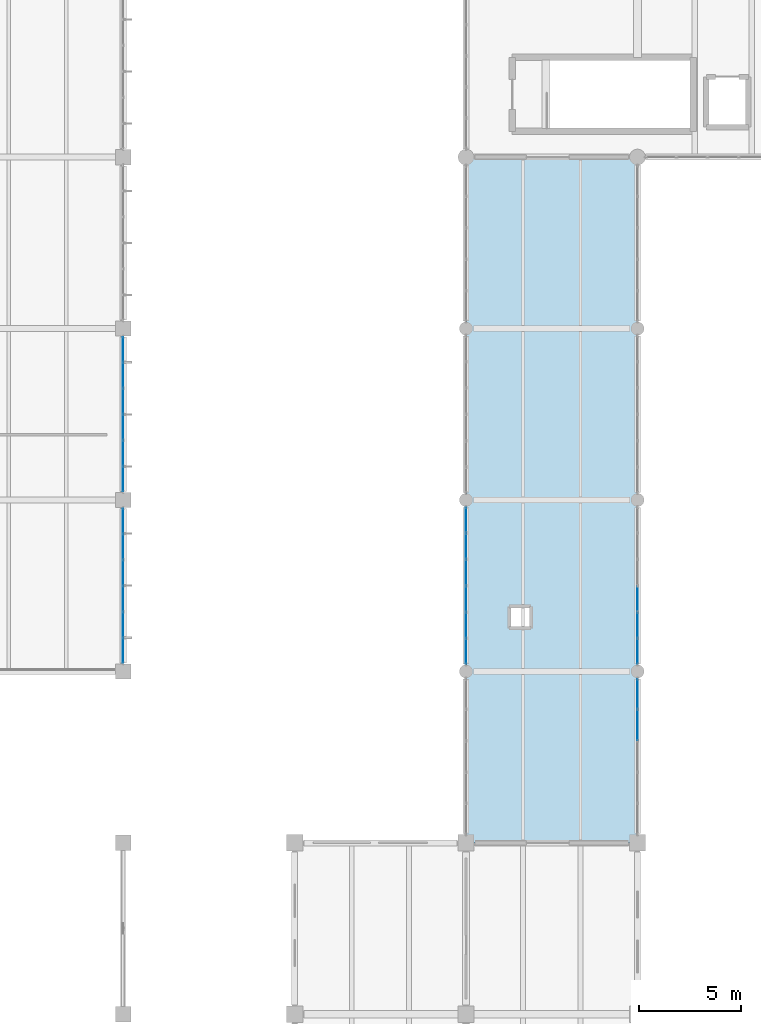
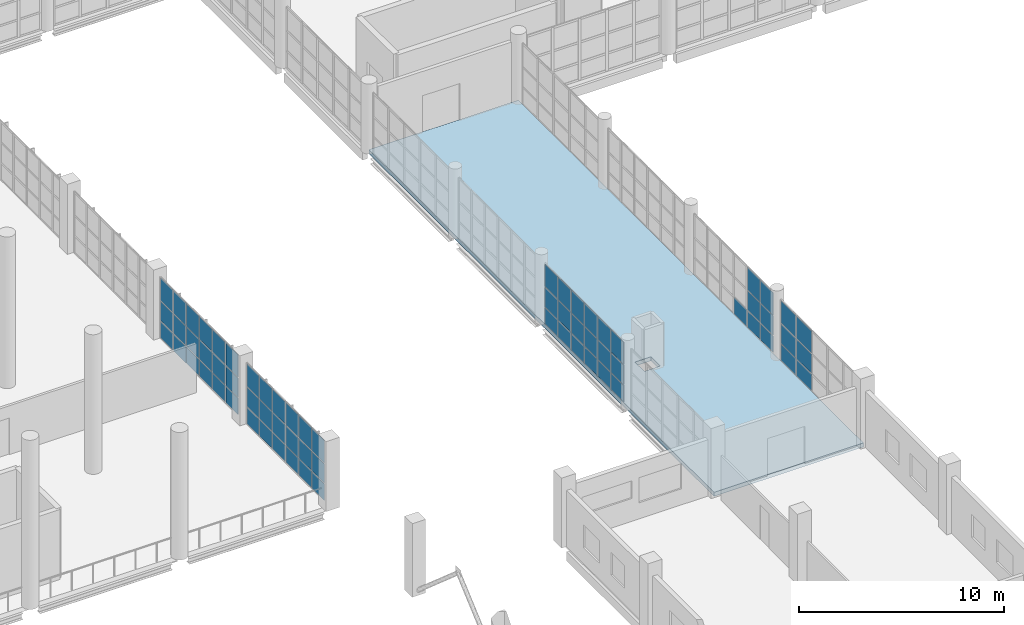
# One storey, part 123 of 177: 67 plates, 1 slab, 5 elements without a shape of their own.
"""IFC4 building model written with IfcOpenShell, lengths in metres."""

from ifc_helpers import new_model, si_unit, direction, frame, origin, origin_2d, place, context, subcontext, project, spatial, polyline, rectangle, outline, extrude, material, layer, layer_set, type_object, element, aggregate, save


model = new_model("IFC4")

# Units and contexts
model_context = context("Model", 3, precision=1e-05, world=origin(), true_north=direction((0.0, 1.0)))
body_context = subcontext(model_context, "Body", "Model", "MODEL_VIEW")
ifc_project = project(units=[si_unit("LENGTHUNIT", "METRE"), si_unit("AREAUNIT", "SQUARE_METRE"), si_unit("VOLUMEUNIT", "CUBIC_METRE"), si_unit("PLANEANGLEUNIT", "RADIAN"), si_unit("MASSUNIT", "GRAM", prefix="KILO"), si_unit("THERMODYNAMICTEMPERATUREUNIT", "KELVIN"), si_unit("POWERUNIT", "WATT")], contexts=[model_context])

# Site, building, storey
site_placement = place(None, origin())
site = spatial("IfcSite", under=ifc_project, at=site_placement, CompositionType="ELEMENT")
building_placement = place(site_placement, origin())
building = spatial("IfcBuilding", under=site, at=building_placement, Name="Mavoryth Pier Ferry Terminal", CompositionType="ELEMENT")
storey_placement = place(building_placement, frame((0.0, 0.0, 5.43994140625)))
storey = spatial("IfcBuildingStorey", under=building, at=storey_placement, Name="L01", CompositionType="ELEMENT", Elevation=5.43994140625)

# Curtain wall, plates
ifc_material_1 = material(Name="Anodised Aluminium and Solar-Control Low-E Glass", Category="aluminium")
ifc_layer_1 = layer(ifc_material_1, 0.199951171875, Name="Anodised Aluminium and Solar-Control Low-E Glass", Category="aluminium")
ifc_layer_set_1 = layer_set([ifc_layer_1], Name="Anodised Aluminium and Solar-Control Low-E Glass - CW-Concourse-Mod1200")
curtain_wall_type_1 = type_object("IfcCurtainWallType", Name="CW-Concourse-Mod1200", PredefinedType="USERDEFINED", material=ifc_layer_set_1)
curtain_wall_1_placement = place(storey_placement, origin())
curtain_wall_1 = element("IfcCurtainWall", 1, at=curtain_wall_1_placement, inside=storey, type_object=curtain_wall_type_1, Name="Curtain Wall CW-0111-008", ObjectType="UNITISED CURTAIN WALL", PredefinedType="USERDEFINED")
ifc_material_2 = material(Name="Solar-Control Low-E Laminated Double Glazing", Category="glass")
ifc_layer_2 = layer(ifc_material_2, 0.02392578125, Name="Solar-Control Low-E Laminated Double Glazing", Category="glass")
ifc_layer_set_2 = layer_set([ifc_layer_2], Name="Solar-Control Low-E Laminated Double Glazing - Panel-LowE-DGU-24")
plate_type = type_object("IfcPlateType", Name="Panel-LowE-DGU-24", PredefinedType="CURTAIN_PANEL", material=ifc_layer_set_2)
plate_1_placement = place(storey_placement, frame((33.60009765625, 48.226318359375, 0.05517578125), z_axis=(0.0, 0.0, 1.0), x_axis=(0.0, 1.0, 0.0)))
plate_1 = element("IfcPlate", 2, at=plate_1_placement, type_object=plate_type, Name="CW02 panel 1.1", PredefinedType="CURTAIN_PANEL", context=body_context, shape_type="SweptSolid", body=[
    extrude(rectangle(XDim=1.1923828125, YDim=0.02392578125, at=origin_2d()), origin(), (0.0, 0.0, 1.0), 0.967529296875),
])
plate_2_placement = place(storey_placement, frame((33.60009765625, 48.226318359375, 1.07763671875), z_axis=(0.0, 0.0, 1.0), x_axis=(0.0, 1.0, 0.0)))
plate_2 = element("IfcPlate", 3, at=plate_2_placement, type_object=plate_type, Name="CW02 panel 1.2", PredefinedType="CURTAIN_PANEL", context=body_context, shape_type="SweptSolid", body=[
    extrude(rectangle(XDim=1.1923828125, YDim=0.02392578125, at=origin_2d()), origin(), (0.0, 0.0, 1.0), 1.14501953125),
])
plate_3_placement = place(storey_placement, frame((33.60009765625, 48.226318359375, 2.27783203125), z_axis=(0.0, 0.0, 1.0), x_axis=(0.0, 1.0, 0.0)))
plate_3 = element("IfcPlate", 4, at=plate_3_placement, type_object=plate_type, Name="CW02 panel 1.3", PredefinedType="CURTAIN_PANEL", context=body_context, shape_type="SweptSolid", body=[
    extrude(rectangle(XDim=1.1923828125, YDim=0.02392578125, at=origin_2d()), origin(), (0.0, 0.0, 1.0), 1.327392578125),
])
plate_4_placement = place(storey_placement, frame((33.60009765625, 49.487548828125, 0.05517578125), z_axis=(0.0, 0.0, 1.0), x_axis=(0.0, 1.0, 0.0)))
plate_4 = element("IfcPlate", 5, at=plate_4_placement, type_object=plate_type, Name="CW02 panel 2.1", PredefinedType="CURTAIN_PANEL", context=body_context, shape_type="SweptSolid", body=[
    extrude(rectangle(XDim=1.219970703125, YDim=0.02392578125, at=origin_2d()), origin(), (0.0, 0.0, 1.0), 0.967529296875),
])
plate_5_placement = place(storey_placement, frame((33.60009765625, 49.487548828125, 1.07763671875), z_axis=(0.0, 0.0, 1.0), x_axis=(0.0, 1.0, 0.0)))
plate_5 = element("IfcPlate", 6, at=plate_5_placement, type_object=plate_type, Name="CW02 panel 2.2", PredefinedType="CURTAIN_PANEL", context=body_context, shape_type="SweptSolid", body=[
    extrude(rectangle(XDim=1.219970703125, YDim=0.02392578125, at=origin_2d()), origin(), (0.0, 0.0, 1.0), 1.14501953125),
])
plate_6_placement = place(storey_placement, frame((33.60009765625, 49.487548828125, 2.27783203125), z_axis=(0.0, 0.0, 1.0), x_axis=(0.0, 1.0, 0.0)))
plate_6 = element("IfcPlate", 7, at=plate_6_placement, type_object=plate_type, Name="CW02 panel 2.3", PredefinedType="CURTAIN_PANEL", context=body_context, shape_type="SweptSolid", body=[
    extrude(rectangle(XDim=1.219970703125, YDim=0.02392578125, at=origin_2d()), origin(), (0.0, 0.0, 1.0), 1.327392578125),
])
plate_7_placement = place(storey_placement, frame((33.60009765625, 50.762451171875, 0.05517578125), z_axis=(0.0, 0.0, 1.0), x_axis=(0.0, 1.0, 0.0)))
plate_7 = element("IfcPlate", 8, at=plate_7_placement, type_object=plate_type, Name="CW02 panel 3.1", PredefinedType="CURTAIN_PANEL", context=body_context, shape_type="SweptSolid", body=[
    extrude(rectangle(XDim=1.219970703125, YDim=0.02392578125, at=origin_2d()), origin(), (0.0, 0.0, 1.0), 0.967529296875),
])
plate_8_placement = place(storey_placement, frame((33.60009765625, 50.762451171875, 1.07763671875), z_axis=(0.0, 0.0, 1.0), x_axis=(0.0, 1.0, 0.0)))
plate_8 = element("IfcPlate", 9, at=plate_8_placement, type_object=plate_type, Name="CW02 panel 3.2", PredefinedType="CURTAIN_PANEL", context=body_context, shape_type="SweptSolid", body=[
    extrude(rectangle(XDim=1.219970703125, YDim=0.02392578125, at=origin_2d()), origin(), (0.0, 0.0, 1.0), 1.14501953125),
])
plate_9_placement = place(storey_placement, frame((33.60009765625, 50.762451171875, 2.27783203125), z_axis=(0.0, 0.0, 1.0), x_axis=(0.0, 1.0, 0.0)))
plate_9 = element("IfcPlate", 10, at=plate_9_placement, type_object=plate_type, Name="CW02 panel 3.3", PredefinedType="CURTAIN_PANEL", context=body_context, shape_type="SweptSolid", body=[
    extrude(rectangle(XDim=1.219970703125, YDim=0.02392578125, at=origin_2d()), origin(), (0.0, 0.0, 1.0), 1.327392578125),
])
plate_10_placement = place(storey_placement, frame((33.60009765625, 52.03759765625, 0.05517578125), z_axis=(0.0, 0.0, 1.0), x_axis=(0.0, 1.0, 0.0)))
plate_10 = element("IfcPlate", 11, at=plate_10_placement, type_object=plate_type, Name="CW02 panel 4.1", PredefinedType="CURTAIN_PANEL", context=body_context, shape_type="SweptSolid", body=[
    extrude(rectangle(XDim=1.219970703125, YDim=0.02392578125, at=origin_2d()), origin(), (0.0, 0.0, 1.0), 0.967529296875),
])
plate_11_placement = place(storey_placement, frame((33.60009765625, 52.03759765625, 1.07763671875), z_axis=(0.0, 0.0, 1.0), x_axis=(0.0, 1.0, 0.0)))
plate_11 = element("IfcPlate", 12, at=plate_11_placement, type_object=plate_type, Name="CW02 panel 4.2", PredefinedType="CURTAIN_PANEL", context=body_context, shape_type="SweptSolid", body=[
    extrude(rectangle(XDim=1.219970703125, YDim=0.02392578125, at=origin_2d()), origin(), (0.0, 0.0, 1.0), 1.14501953125),
])
plate_12_placement = place(storey_placement, frame((33.60009765625, 52.03759765625, 2.27783203125), z_axis=(0.0, 0.0, 1.0), x_axis=(0.0, 1.0, 0.0)))
plate_12 = element("IfcPlate", 13, at=plate_12_placement, type_object=plate_type, Name="CW02 panel 4.3", PredefinedType="CURTAIN_PANEL", context=body_context, shape_type="SweptSolid", body=[
    extrude(rectangle(XDim=1.219970703125, YDim=0.02392578125, at=origin_2d()), origin(), (0.0, 0.0, 1.0), 1.327392578125),
])
plate_13_placement = place(storey_placement, frame((33.60009765625, 53.3125, 0.05517578125), z_axis=(0.0, 0.0, 1.0), x_axis=(0.0, 1.0, 0.0)))
plate_13 = element("IfcPlate", 14, at=plate_13_placement, type_object=plate_type, Name="CW02 panel 5.1", PredefinedType="CURTAIN_PANEL", context=body_context, shape_type="SweptSolid", body=[
    extrude(rectangle(XDim=1.219970703125, YDim=0.02392578125, at=origin_2d()), origin(), (0.0, 0.0, 1.0), 0.967529296875),
])
plate_14_placement = place(storey_placement, frame((33.60009765625, 53.3125, 1.07763671875), z_axis=(0.0, 0.0, 1.0), x_axis=(0.0, 1.0, 0.0)))
plate_14 = element("IfcPlate", 15, at=plate_14_placement, type_object=plate_type, Name="CW02 panel 5.2", PredefinedType="CURTAIN_PANEL", context=body_context, shape_type="SweptSolid", body=[
    extrude(rectangle(XDim=1.219970703125, YDim=0.02392578125, at=origin_2d()), origin(), (0.0, 0.0, 1.0), 1.14501953125),
])
plate_15_placement = place(storey_placement, frame((33.60009765625, 53.3125, 2.27783203125), z_axis=(0.0, 0.0, 1.0), x_axis=(0.0, 1.0, 0.0)))
plate_15 = element("IfcPlate", 16, at=plate_15_placement, type_object=plate_type, Name="CW02 panel 5.3", PredefinedType="CURTAIN_PANEL", context=body_context, shape_type="SweptSolid", body=[
    extrude(rectangle(XDim=1.219970703125, YDim=0.02392578125, at=origin_2d()), origin(), (0.0, 0.0, 1.0), 1.327392578125),
])
plate_16_placement = place(storey_placement, frame((33.60009765625, 54.57373046875, 0.05517578125), z_axis=(0.0, 0.0, 1.0), x_axis=(0.0, 1.0, 0.0)))
plate_16 = element("IfcPlate", 17, at=plate_16_placement, type_object=plate_type, Name="CW02 panel 6.1", PredefinedType="CURTAIN_PANEL", context=body_context, shape_type="SweptSolid", body=[
    extrude(rectangle(XDim=1.1923828125, YDim=0.02392578125, at=origin_2d()), origin(), (0.0, 0.0, 1.0), 0.967529296875),
])
plate_17_placement = place(storey_placement, frame((33.60009765625, 54.57373046875, 1.07763671875), z_axis=(0.0, 0.0, 1.0), x_axis=(0.0, 1.0, 0.0)))
plate_17 = element("IfcPlate", 18, at=plate_17_placement, type_object=plate_type, Name="CW02 panel 6.2", PredefinedType="CURTAIN_PANEL", context=body_context, shape_type="SweptSolid", body=[
    extrude(rectangle(XDim=1.1923828125, YDim=0.02392578125, at=origin_2d()), origin(), (0.0, 0.0, 1.0), 1.14501953125),
])
plate_18_placement = place(storey_placement, frame((33.60009765625, 54.57373046875, 2.27783203125), z_axis=(0.0, 0.0, 1.0), x_axis=(0.0, 1.0, 0.0)))
plate_18 = element("IfcPlate", 19, at=plate_18_placement, type_object=plate_type, Name="CW02 panel 6.3", PredefinedType="CURTAIN_PANEL", context=body_context, shape_type="SweptSolid", body=[
    extrude(rectangle(XDim=1.1923828125, YDim=0.02392578125, at=origin_2d()), origin(), (0.0, 0.0, 1.0), 1.327392578125),
])
aggregate(curtain_wall_1, [plate_1, plate_2, plate_3, plate_4, plate_5, plate_6, plate_7, plate_8, plate_9, plate_10, plate_11, plate_12, plate_13, plate_14, plate_15, plate_16, plate_17, plate_18])

curtain_wall_2_placement = place(storey_placement, origin())
curtain_wall_2 = element("IfcCurtainWall", 20, at=curtain_wall_2_placement, inside=storey, type_object=curtain_wall_type_1, Name="Curtain Wall CW-0111-012", ObjectType="UNITISED CURTAIN WALL", PredefinedType="USERDEFINED")
plate_19_placement = place(storey_placement, frame((33.60009765625, 56.626220703125, 0.05517578125), z_axis=(0.0, 0.0, 1.0), x_axis=(0.0, 1.0, 0.0)))
plate_19 = element("IfcPlate", 21, at=plate_19_placement, type_object=plate_type, Name="CW02 panel 1.1", PredefinedType="CURTAIN_PANEL", context=body_context, shape_type="SweptSolid", body=[
    extrude(rectangle(XDim=1.1923828125, YDim=0.02392578125, at=origin_2d()), origin(), (0.0, 0.0, 1.0), 0.967529296875),
])
plate_20_placement = place(storey_placement, frame((33.60009765625, 56.626220703125, 1.07763671875), z_axis=(0.0, 0.0, 1.0), x_axis=(0.0, 1.0, 0.0)))
plate_20 = element("IfcPlate", 22, at=plate_20_placement, type_object=plate_type, Name="CW02 panel 1.2", PredefinedType="CURTAIN_PANEL", context=body_context, shape_type="SweptSolid", body=[
    extrude(rectangle(XDim=1.1923828125, YDim=0.02392578125, at=origin_2d()), origin(), (0.0, 0.0, 1.0), 1.14501953125),
])
plate_21_placement = place(storey_placement, frame((33.60009765625, 56.626220703125, 2.27783203125), z_axis=(0.0, 0.0, 1.0), x_axis=(0.0, 1.0, 0.0)))
plate_21 = element("IfcPlate", 23, at=plate_21_placement, type_object=plate_type, Name="CW02 panel 1.3", PredefinedType="CURTAIN_PANEL", context=body_context, shape_type="SweptSolid", body=[
    extrude(rectangle(XDim=1.1923828125, YDim=0.02392578125, at=origin_2d()), origin(), (0.0, 0.0, 1.0), 1.327392578125),
])
plate_22_placement = place(storey_placement, frame((33.60009765625, 57.887451171875, 0.05517578125), z_axis=(0.0, 0.0, 1.0), x_axis=(0.0, 1.0, 0.0)))
plate_22 = element("IfcPlate", 24, at=plate_22_placement, type_object=plate_type, Name="CW02 panel 2.1", PredefinedType="CURTAIN_PANEL", context=body_context, shape_type="SweptSolid", body=[
    extrude(rectangle(XDim=1.219970703125, YDim=0.02392578125, at=origin_2d()), origin(), (0.0, 0.0, 1.0), 0.967529296875),
])
plate_23_placement = place(storey_placement, frame((33.60009765625, 57.887451171875, 1.07763671875), z_axis=(0.0, 0.0, 1.0), x_axis=(0.0, 1.0, 0.0)))
plate_23 = element("IfcPlate", 25, at=plate_23_placement, type_object=plate_type, Name="CW02 panel 2.2", PredefinedType="CURTAIN_PANEL", context=body_context, shape_type="SweptSolid", body=[
    extrude(rectangle(XDim=1.219970703125, YDim=0.02392578125, at=origin_2d()), origin(), (0.0, 0.0, 1.0), 1.14501953125),
])
plate_24_placement = place(storey_placement, frame((33.60009765625, 57.887451171875, 2.27783203125), z_axis=(0.0, 0.0, 1.0), x_axis=(0.0, 1.0, 0.0)))
plate_24 = element("IfcPlate", 26, at=plate_24_placement, type_object=plate_type, Name="CW02 panel 2.3", PredefinedType="CURTAIN_PANEL", context=body_context, shape_type="SweptSolid", body=[
    extrude(rectangle(XDim=1.219970703125, YDim=0.02392578125, at=origin_2d()), origin(), (0.0, 0.0, 1.0), 1.327392578125),
])
plate_25_placement = place(storey_placement, frame((33.60009765625, 59.16259765625, 0.05517578125), z_axis=(0.0, 0.0, 1.0), x_axis=(0.0, 1.0, 0.0)))
plate_25 = element("IfcPlate", 27, at=plate_25_placement, type_object=plate_type, Name="CW02 panel 3.1", PredefinedType="CURTAIN_PANEL", context=body_context, shape_type="SweptSolid", body=[
    extrude(rectangle(XDim=1.219970703125, YDim=0.02392578125, at=origin_2d()), origin(), (0.0, 0.0, 1.0), 0.967529296875),
])
plate_26_placement = place(storey_placement, frame((33.60009765625, 59.16259765625, 1.07763671875), z_axis=(0.0, 0.0, 1.0), x_axis=(0.0, 1.0, 0.0)))
plate_26 = element("IfcPlate", 28, at=plate_26_placement, type_object=plate_type, Name="CW02 panel 3.2", PredefinedType="CURTAIN_PANEL", context=body_context, shape_type="SweptSolid", body=[
    extrude(rectangle(XDim=1.219970703125, YDim=0.02392578125, at=origin_2d()), origin(), (0.0, 0.0, 1.0), 1.14501953125),
])
plate_27_placement = place(storey_placement, frame((33.60009765625, 59.16259765625, 2.27783203125), z_axis=(0.0, 0.0, 1.0), x_axis=(0.0, 1.0, 0.0)))
plate_27 = element("IfcPlate", 29, at=plate_27_placement, type_object=plate_type, Name="CW02 panel 3.3", PredefinedType="CURTAIN_PANEL", context=body_context, shape_type="SweptSolid", body=[
    extrude(rectangle(XDim=1.219970703125, YDim=0.02392578125, at=origin_2d()), origin(), (0.0, 0.0, 1.0), 1.327392578125),
])
plate_28_placement = place(storey_placement, frame((33.60009765625, 60.4375, 0.05517578125), z_axis=(0.0, 0.0, 1.0), x_axis=(0.0, 1.0, 0.0)))
plate_28 = element("IfcPlate", 30, at=plate_28_placement, type_object=plate_type, Name="CW02 panel 4.1", PredefinedType="CURTAIN_PANEL", context=body_context, shape_type="SweptSolid", body=[
    extrude(rectangle(XDim=1.219970703125, YDim=0.02392578125, at=origin_2d()), origin(), (0.0, 0.0, 1.0), 0.967529296875),
])
plate_29_placement = place(storey_placement, frame((33.60009765625, 60.4375, 1.07763671875), z_axis=(0.0, 0.0, 1.0), x_axis=(0.0, 1.0, 0.0)))
plate_29 = element("IfcPlate", 31, at=plate_29_placement, type_object=plate_type, Name="CW02 panel 4.2", PredefinedType="CURTAIN_PANEL", context=body_context, shape_type="SweptSolid", body=[
    extrude(rectangle(XDim=1.219970703125, YDim=0.02392578125, at=origin_2d()), origin(), (0.0, 0.0, 1.0), 1.14501953125),
])
plate_30_placement = place(storey_placement, frame((33.60009765625, 60.4375, 2.27783203125), z_axis=(0.0, 0.0, 1.0), x_axis=(0.0, 1.0, 0.0)))
plate_30 = element("IfcPlate", 32, at=plate_30_placement, type_object=plate_type, Name="CW02 panel 4.3", PredefinedType="CURTAIN_PANEL", context=body_context, shape_type="SweptSolid", body=[
    extrude(rectangle(XDim=1.219970703125, YDim=0.02392578125, at=origin_2d()), origin(), (0.0, 0.0, 1.0), 1.327392578125),
])
plate_31_placement = place(storey_placement, frame((33.60009765625, 61.71240234375, 0.05517578125), z_axis=(0.0, 0.0, 1.0), x_axis=(0.0, 1.0, 0.0)))
plate_31 = element("IfcPlate", 33, at=plate_31_placement, type_object=plate_type, Name="CW02 panel 5.1", PredefinedType="CURTAIN_PANEL", context=body_context, shape_type="SweptSolid", body=[
    extrude(rectangle(XDim=1.219970703125, YDim=0.02392578125, at=origin_2d()), origin(), (0.0, 0.0, 1.0), 0.967529296875),
])
plate_32_placement = place(storey_placement, frame((33.60009765625, 61.71240234375, 1.07763671875), z_axis=(0.0, 0.0, 1.0), x_axis=(0.0, 1.0, 0.0)))
plate_32 = element("IfcPlate", 34, at=plate_32_placement, type_object=plate_type, Name="CW02 panel 5.2", PredefinedType="CURTAIN_PANEL", context=body_context, shape_type="SweptSolid", body=[
    extrude(rectangle(XDim=1.219970703125, YDim=0.02392578125, at=origin_2d()), origin(), (0.0, 0.0, 1.0), 1.14501953125),
])
plate_33_placement = place(storey_placement, frame((33.60009765625, 61.71240234375, 2.27783203125), z_axis=(0.0, 0.0, 1.0), x_axis=(0.0, 1.0, 0.0)))
plate_33 = element("IfcPlate", 35, at=plate_33_placement, type_object=plate_type, Name="CW02 panel 5.3", PredefinedType="CURTAIN_PANEL", context=body_context, shape_type="SweptSolid", body=[
    extrude(rectangle(XDim=1.219970703125, YDim=0.02392578125, at=origin_2d()), origin(), (0.0, 0.0, 1.0), 1.327392578125),
])
plate_34_placement = place(storey_placement, frame((33.60009765625, 62.9736328125, 0.05517578125), z_axis=(0.0, 0.0, 1.0), x_axis=(0.0, 1.0, 0.0)))
plate_34 = element("IfcPlate", 36, at=plate_34_placement, type_object=plate_type, Name="CW02 panel 6.1", PredefinedType="CURTAIN_PANEL", context=body_context, shape_type="SweptSolid", body=[
    extrude(rectangle(XDim=1.1923828125, YDim=0.02392578125, at=origin_2d()), origin(), (0.0, 0.0, 1.0), 0.967529296875),
])
plate_35_placement = place(storey_placement, frame((33.60009765625, 62.9736328125, 1.07763671875), z_axis=(0.0, 0.0, 1.0), x_axis=(0.0, 1.0, 0.0)))
plate_35 = element("IfcPlate", 37, at=plate_35_placement, type_object=plate_type, Name="CW02 panel 6.2", PredefinedType="CURTAIN_PANEL", context=body_context, shape_type="SweptSolid", body=[
    extrude(rectangle(XDim=1.1923828125, YDim=0.02392578125, at=origin_2d()), origin(), (0.0, 0.0, 1.0), 1.14501953125),
])
plate_36_placement = place(storey_placement, frame((33.60009765625, 62.9736328125, 2.27783203125), z_axis=(0.0, 0.0, 1.0), x_axis=(0.0, 1.0, 0.0)))
plate_36 = element("IfcPlate", 38, at=plate_36_placement, type_object=plate_type, Name="CW02 panel 6.3", PredefinedType="CURTAIN_PANEL", context=body_context, shape_type="SweptSolid", body=[
    extrude(rectangle(XDim=1.1923828125, YDim=0.02392578125, at=origin_2d()), origin(), (0.0, 0.0, 1.0), 1.327392578125),
])
aggregate(curtain_wall_2, [plate_19, plate_20, plate_21, plate_22, plate_23, plate_24, plate_25, plate_26, plate_27, plate_28, plate_29, plate_30, plate_31, plate_32, plate_33, plate_34, plate_35, plate_36])

ifc_layer_3 = layer(ifc_material_1, 0.1201171875, Name="Anodised Aluminium and Solar-Control Low-E Glass", Category="aluminium")
ifc_layer_set_3 = layer_set([ifc_layer_3], Name="Anodised Aluminium and Solar-Control Low-E Glass - CW-BridgeLink-Mod1400")
curtain_wall_type_2 = type_object("IfcCurtainWallType", Name="CW-BridgeLink-Mod1400", PredefinedType="USERDEFINED", material=ifc_layer_set_3)
curtain_wall_3_placement = place(storey_placement, origin())
curtain_wall_3 = element("IfcCurtainWall", 39, at=curtain_wall_3_placement, inside=storey, type_object=curtain_wall_type_2, Name="Curtain Wall CW-0111-103", ObjectType="UNITISED CURTAIN WALL", PredefinedType="USERDEFINED")
plate_37_placement = place(storey_placement, frame((58.800048828125, 44.572509765625, 0.05517578125), z_axis=(0.0, 0.0, 1.0), x_axis=(0.0, 1.0, 0.0)))
plate_37 = element("IfcPlate", 40, at=plate_37_placement, type_object=plate_type, Name="CW08 panel 4.1", PredefinedType="CURTAIN_PANEL", context=body_context, shape_type="SweptSolid", body=[
    extrude(rectangle(XDim=1.47998046875, YDim=0.02392578125, at=origin_2d()), origin(), (0.0, 0.0, 1.0), 0.967529296875),
])
plate_38_placement = place(storey_placement, frame((58.800048828125, 44.572509765625, 1.07763671875), z_axis=(0.0, 0.0, 1.0), x_axis=(0.0, 1.0, 0.0)))
plate_38 = element("IfcPlate", 41, at=plate_38_placement, type_object=plate_type, Name="CW08 panel 4.2", PredefinedType="CURTAIN_PANEL", context=body_context, shape_type="SweptSolid", body=[
    extrude(rectangle(XDim=1.47998046875, YDim=0.02392578125, at=origin_2d()), origin(), (0.0, 0.0, 1.0), 1.14501953125),
])
plate_39_placement = place(storey_placement, frame((58.800048828125, 44.572509765625, 2.27734375), z_axis=(0.0, 0.0, 1.0), x_axis=(0.0, 1.0, 0.0)))
plate_39 = element("IfcPlate", 42, at=plate_39_placement, type_object=plate_type, Name="CW08 panel 4.3", PredefinedType="CURTAIN_PANEL", context=body_context, shape_type="SweptSolid", body=[
    extrude(rectangle(XDim=1.47998046875, YDim=0.02392578125, at=origin_2d()), origin(), (0.0, 0.0, 1.0), 1.322509765625),
])
plate_40_placement = place(storey_placement, frame((58.800048828125, 46.09375, 0.05517578125), z_axis=(0.0, 0.0, 1.0), x_axis=(0.0, 1.0, 0.0)))
plate_40 = element("IfcPlate", 43, at=plate_40_placement, type_object=plate_type, Name="CW08 panel 5.1", PredefinedType="CURTAIN_PANEL", context=body_context, shape_type="SweptSolid", body=[
    extrude(rectangle(XDim=1.452392578125, YDim=0.02392578125, at=origin_2d()), origin(), (0.0, 0.0, 1.0), 0.967529296875),
])
plate_41_placement = place(storey_placement, frame((58.800048828125, 46.09375, 1.07763671875), z_axis=(0.0, 0.0, 1.0), x_axis=(0.0, 1.0, 0.0)))
plate_41 = element("IfcPlate", 44, at=plate_41_placement, type_object=plate_type, Name="CW08 panel 5.2", PredefinedType="CURTAIN_PANEL", context=body_context, shape_type="SweptSolid", body=[
    extrude(rectangle(XDim=1.452392578125, YDim=0.02392578125, at=origin_2d()), origin(), (0.0, 0.0, 1.0), 1.14501953125),
])
plate_42_placement = place(storey_placement, frame((58.800048828125, 46.09375, 2.27734375), z_axis=(0.0, 0.0, 1.0), x_axis=(0.0, 1.0, 0.0)))
plate_42 = element("IfcPlate", 45, at=plate_42_placement, type_object=plate_type, Name="CW08 panel 5.3", PredefinedType="CURTAIN_PANEL", context=body_context, shape_type="SweptSolid", body=[
    extrude(rectangle(XDim=1.452392578125, YDim=0.02392578125, at=origin_2d()), origin(), (0.0, 0.0, 1.0), 1.322509765625),
])
aggregate(curtain_wall_3, [plate_37, plate_38, plate_39, plate_40, plate_41, plate_42])

curtain_wall_4_placement = place(storey_placement, origin())
curtain_wall_4 = element("IfcCurtainWall", 46, at=curtain_wall_4_placement, inside=storey, type_object=curtain_wall_type_2, Name="Curtain Wall CW-0111-104", ObjectType="UNITISED CURTAIN WALL", PredefinedType="USERDEFINED")
plate_43_placement = place(storey_placement, frame((50.39990234375, 54.615478515625, 0.05517578125), z_axis=(0.0, 0.0, 1.0), x_axis=(0.0, -1.0, 0.0)))
plate_43 = element("IfcPlate", 47, at=plate_43_placement, type_object=plate_type, Name="CW08 panel 1.1", PredefinedType="CURTAIN_PANEL", context=body_context, shape_type="SweptSolid", body=[
    extrude(rectangle(XDim=1.209228515625, YDim=0.02392578125, at=origin_2d()), origin(), (0.0, 0.0, 1.0), 0.967529296875),
])
plate_44_placement = place(storey_placement, frame((50.39990234375, 54.615478515625, 1.07763671875), z_axis=(0.0, 0.0, 1.0), x_axis=(0.0, -1.0, 0.0)))
plate_44 = element("IfcPlate", 48, at=plate_44_placement, type_object=plate_type, Name="CW08 panel 1.2", PredefinedType="CURTAIN_PANEL", context=body_context, shape_type="SweptSolid", body=[
    extrude(rectangle(XDim=1.209228515625, YDim=0.02392578125, at=origin_2d()), origin(), (0.0, 0.0, 1.0), 1.14501953125),
])
plate_45_placement = place(storey_placement, frame((50.39990234375, 54.615478515625, 2.27734375), z_axis=(0.0, 0.0, 1.0), x_axis=(0.0, -1.0, 0.0)))
plate_45 = element("IfcPlate", 49, at=plate_45_placement, type_object=plate_type, Name="CW08 panel 1.3", PredefinedType="CURTAIN_PANEL", context=body_context, shape_type="SweptSolid", body=[
    extrude(rectangle(XDim=1.209228515625, YDim=0.02392578125, at=origin_2d()), origin(), (0.0, 0.0, 1.0), 1.322509765625),
])
plate_46_placement = place(storey_placement, frame((50.39990234375, 53.33740234375, 0.05517578125), z_axis=(0.0, 0.0, 1.0), x_axis=(0.0, -1.0, 0.0)))
plate_46 = element("IfcPlate", 50, at=plate_46_placement, type_object=plate_type, Name="CW08 panel 2.1", PredefinedType="CURTAIN_PANEL", context=body_context, shape_type="SweptSolid", body=[
    extrude(rectangle(XDim=1.236572265625, YDim=0.02392578125, at=origin_2d()), origin(), (0.0, 0.0, 1.0), 0.967529296875),
])
plate_47_placement = place(storey_placement, frame((50.39990234375, 53.33740234375, 1.07763671875), z_axis=(0.0, 0.0, 1.0), x_axis=(0.0, -1.0, 0.0)))
plate_47 = element("IfcPlate", 51, at=plate_47_placement, type_object=plate_type, Name="CW08 panel 2.2", PredefinedType="CURTAIN_PANEL", context=body_context, shape_type="SweptSolid", body=[
    extrude(rectangle(XDim=1.236572265625, YDim=0.02392578125, at=origin_2d()), origin(), (0.0, 0.0, 1.0), 1.14501953125),
])
plate_48_placement = place(storey_placement, frame((50.39990234375, 53.33740234375, 2.27734375), z_axis=(0.0, 0.0, 1.0), x_axis=(0.0, -1.0, 0.0)))
plate_48 = element("IfcPlate", 52, at=plate_48_placement, type_object=plate_type, Name="CW08 panel 2.3", PredefinedType="CURTAIN_PANEL", context=body_context, shape_type="SweptSolid", body=[
    extrude(rectangle(XDim=1.236572265625, YDim=0.02392578125, at=origin_2d()), origin(), (0.0, 0.0, 1.0), 1.322509765625),
])
plate_49_placement = place(storey_placement, frame((50.39990234375, 52.0458984375, 0.05517578125), z_axis=(0.0, 0.0, 1.0), x_axis=(0.0, -1.0, 0.0)))
plate_49 = element("IfcPlate", 53, at=plate_49_placement, type_object=plate_type, Name="CW08 panel 3.1", PredefinedType="CURTAIN_PANEL", context=body_context, shape_type="SweptSolid", body=[
    extrude(rectangle(XDim=1.236572265625, YDim=0.02392578125, at=origin_2d()), origin(), (0.0, 0.0, 1.0), 0.967529296875),
])
plate_50_placement = place(storey_placement, frame((50.39990234375, 52.0458984375, 1.07763671875), z_axis=(0.0, 0.0, 1.0), x_axis=(0.0, -1.0, 0.0)))
plate_50 = element("IfcPlate", 54, at=plate_50_placement, type_object=plate_type, Name="CW08 panel 3.2", PredefinedType="CURTAIN_PANEL", context=body_context, shape_type="SweptSolid", body=[
    extrude(rectangle(XDim=1.236572265625, YDim=0.02392578125, at=origin_2d()), origin(), (0.0, 0.0, 1.0), 1.14501953125),
])
plate_51_placement = place(storey_placement, frame((50.39990234375, 52.0458984375, 2.27734375), z_axis=(0.0, 0.0, 1.0), x_axis=(0.0, -1.0, 0.0)))
plate_51 = element("IfcPlate", 55, at=plate_51_placement, type_object=plate_type, Name="CW08 panel 3.3", PredefinedType="CURTAIN_PANEL", context=body_context, shape_type="SweptSolid", body=[
    extrude(rectangle(XDim=1.236572265625, YDim=0.02392578125, at=origin_2d()), origin(), (0.0, 0.0, 1.0), 1.322509765625),
])
plate_52_placement = place(storey_placement, frame((50.39990234375, 50.754150390625, 0.05517578125), z_axis=(0.0, 0.0, 1.0), x_axis=(0.0, -1.0, 0.0)))
plate_52 = element("IfcPlate", 56, at=plate_52_placement, type_object=plate_type, Name="CW08 panel 4.1", PredefinedType="CURTAIN_PANEL", context=body_context, shape_type="SweptSolid", body=[
    extrude(rectangle(XDim=1.236572265625, YDim=0.02392578125, at=origin_2d()), origin(), (0.0, 0.0, 1.0), 0.967529296875),
])
plate_53_placement = place(storey_placement, frame((50.39990234375, 50.754150390625, 1.07763671875), z_axis=(0.0, 0.0, 1.0), x_axis=(0.0, -1.0, 0.0)))
plate_53 = element("IfcPlate", 57, at=plate_53_placement, type_object=plate_type, Name="CW08 panel 4.2", PredefinedType="CURTAIN_PANEL", context=body_context, shape_type="SweptSolid", body=[
    extrude(rectangle(XDim=1.236572265625, YDim=0.02392578125, at=origin_2d()), origin(), (0.0, 0.0, 1.0), 1.14501953125),
])
plate_54_placement = place(storey_placement, frame((50.39990234375, 50.754150390625, 2.27734375), z_axis=(0.0, 0.0, 1.0), x_axis=(0.0, -1.0, 0.0)))
plate_54 = element("IfcPlate", 58, at=plate_54_placement, type_object=plate_type, Name="CW08 panel 4.3", PredefinedType="CURTAIN_PANEL", context=body_context, shape_type="SweptSolid", body=[
    extrude(rectangle(XDim=1.236572265625, YDim=0.02392578125, at=origin_2d()), origin(), (0.0, 0.0, 1.0), 1.322509765625),
])
plate_55_placement = place(storey_placement, frame((50.39990234375, 49.46240234375, 0.05517578125), z_axis=(0.0, 0.0, 1.0), x_axis=(0.0, -1.0, 0.0)))
plate_55 = element("IfcPlate", 59, at=plate_55_placement, type_object=plate_type, Name="CW08 panel 5.1", PredefinedType="CURTAIN_PANEL", context=body_context, shape_type="SweptSolid", body=[
    extrude(rectangle(XDim=1.236572265625, YDim=0.02392578125, at=origin_2d()), origin(), (0.0, 0.0, 1.0), 0.967529296875),
])
plate_56_placement = place(storey_placement, frame((50.39990234375, 49.46240234375, 1.07763671875), z_axis=(0.0, 0.0, 1.0), x_axis=(0.0, -1.0, 0.0)))
plate_56 = element("IfcPlate", 60, at=plate_56_placement, type_object=plate_type, Name="CW08 panel 5.2", PredefinedType="CURTAIN_PANEL", context=body_context, shape_type="SweptSolid", body=[
    extrude(rectangle(XDim=1.236572265625, YDim=0.02392578125, at=origin_2d()), origin(), (0.0, 0.0, 1.0), 1.14501953125),
])
plate_57_placement = place(storey_placement, frame((50.39990234375, 49.46240234375, 2.27734375), z_axis=(0.0, 0.0, 1.0), x_axis=(0.0, -1.0, 0.0)))
plate_57 = element("IfcPlate", 61, at=plate_57_placement, type_object=plate_type, Name="CW08 panel 5.3", PredefinedType="CURTAIN_PANEL", context=body_context, shape_type="SweptSolid", body=[
    extrude(rectangle(XDim=1.236572265625, YDim=0.02392578125, at=origin_2d()), origin(), (0.0, 0.0, 1.0), 1.322509765625),
])
plate_58_placement = place(storey_placement, frame((50.39990234375, 48.1845703125, 0.05517578125), z_axis=(0.0, 0.0, 1.0), x_axis=(0.0, -1.0, 0.0)))
plate_58 = element("IfcPlate", 62, at=plate_58_placement, type_object=plate_type, Name="CW08 panel 6.1", PredefinedType="CURTAIN_PANEL", context=body_context, shape_type="SweptSolid", body=[
    extrude(rectangle(XDim=1.209228515625, YDim=0.02392578125, at=origin_2d()), origin(), (0.0, 0.0, 1.0), 0.967529296875),
])
plate_59_placement = place(storey_placement, frame((50.39990234375, 48.1845703125, 1.07763671875), z_axis=(0.0, 0.0, 1.0), x_axis=(0.0, -1.0, 0.0)))
plate_59 = element("IfcPlate", 63, at=plate_59_placement, type_object=plate_type, Name="CW08 panel 6.2", PredefinedType="CURTAIN_PANEL", context=body_context, shape_type="SweptSolid", body=[
    extrude(rectangle(XDim=1.209228515625, YDim=0.02392578125, at=origin_2d()), origin(), (0.0, 0.0, 1.0), 1.14501953125),
])
plate_60_placement = place(storey_placement, frame((50.39990234375, 48.1845703125, 2.27734375), z_axis=(0.0, 0.0, 1.0), x_axis=(0.0, -1.0, 0.0)))
plate_60 = element("IfcPlate", 64, at=plate_60_placement, type_object=plate_type, Name="CW08 panel 6.3", PredefinedType="CURTAIN_PANEL", context=body_context, shape_type="SweptSolid", body=[
    extrude(rectangle(XDim=1.209228515625, YDim=0.02392578125, at=origin_2d()), origin(), (0.0, 0.0, 1.0), 1.322509765625),
])
aggregate(curtain_wall_4, [plate_43, plate_44, plate_45, plate_46, plate_47, plate_48, plate_49, plate_50, plate_51, plate_52, plate_53, plate_54, plate_55, plate_56, plate_57, plate_58, plate_59, plate_60])

curtain_wall_5_placement = place(storey_placement, origin())
curtain_wall_5 = element("IfcCurtainWall", 65, at=curtain_wall_5_placement, inside=storey, type_object=curtain_wall_type_2, Name="Curtain Wall CW-0111-105", ObjectType="UNITISED CURTAIN WALL", PredefinedType="USERDEFINED")
plate_61_placement = place(storey_placement, frame((58.800048828125, 48.1845703125, 0.05517578125), z_axis=(0.0, 0.0, 1.0), x_axis=(0.0, 1.0, 0.0)))
plate_61 = element("IfcPlate", 66, at=plate_61_placement, type_object=plate_type, Name="CW08 panel 1.1", PredefinedType="CURTAIN_PANEL", context=body_context, shape_type="SweptSolid", body=[
    extrude(rectangle(XDim=1.209228515625, YDim=0.02392578125, at=origin_2d()), origin(), (0.0, 0.0, 1.0), 0.967529296875),
])
plate_62_placement = place(storey_placement, frame((58.800048828125, 48.1845703125, 1.07763671875), z_axis=(0.0, 0.0, 1.0), x_axis=(0.0, 1.0, 0.0)))
plate_62 = element("IfcPlate", 67, at=plate_62_placement, type_object=plate_type, Name="CW08 panel 1.2", PredefinedType="CURTAIN_PANEL", context=body_context, shape_type="SweptSolid", body=[
    extrude(rectangle(XDim=1.209228515625, YDim=0.02392578125, at=origin_2d()), origin(), (0.0, 0.0, 1.0), 1.14501953125),
])
plate_63_placement = place(storey_placement, frame((58.800048828125, 48.1845703125, 2.27734375), z_axis=(0.0, 0.0, 1.0), x_axis=(0.0, 1.0, 0.0)))
plate_63 = element("IfcPlate", 68, at=plate_63_placement, type_object=plate_type, Name="CW08 panel 1.3", PredefinedType="CURTAIN_PANEL", context=body_context, shape_type="SweptSolid", body=[
    extrude(rectangle(XDim=1.209228515625, YDim=0.02392578125, at=origin_2d()), origin(), (0.0, 0.0, 1.0), 1.322509765625),
])
plate_64_placement = place(storey_placement, frame((58.800048828125, 49.46240234375, 0.05517578125), z_axis=(0.0, 0.0, 1.0), x_axis=(0.0, 1.0, 0.0)))
plate_64 = element("IfcPlate", 69, at=plate_64_placement, type_object=plate_type, Name="CW08 panel 2.1", PredefinedType="CURTAIN_PANEL", context=body_context, shape_type="SweptSolid", body=[
    extrude(rectangle(XDim=1.236572265625, YDim=0.02392578125, at=origin_2d()), origin(), (0.0, 0.0, 1.0), 0.967529296875),
])
plate_65_placement = place(storey_placement, frame((58.800048828125, 49.46240234375, 1.07763671875), z_axis=(0.0, 0.0, 1.0), x_axis=(0.0, 1.0, 0.0)))
plate_65 = element("IfcPlate", 70, at=plate_65_placement, type_object=plate_type, Name="CW08 panel 2.2", PredefinedType="CURTAIN_PANEL", context=body_context, shape_type="SweptSolid", body=[
    extrude(rectangle(XDim=1.236572265625, YDim=0.02392578125, at=origin_2d()), origin(), (0.0, 0.0, 1.0), 1.14501953125),
])
plate_66_placement = place(storey_placement, frame((58.800048828125, 49.46240234375, 2.27734375), z_axis=(0.0, 0.0, 1.0), x_axis=(0.0, 1.0, 0.0)))
plate_66 = element("IfcPlate", 71, at=plate_66_placement, type_object=plate_type, Name="CW08 panel 2.3", PredefinedType="CURTAIN_PANEL", context=body_context, shape_type="SweptSolid", body=[
    extrude(rectangle(XDim=1.236572265625, YDim=0.02392578125, at=origin_2d()), origin(), (0.0, 0.0, 1.0), 1.322509765625),
])
plate_67_placement = place(storey_placement, frame((58.800048828125, 50.754150390625, 0.05517578125), z_axis=(0.0, 0.0, 1.0), x_axis=(0.0, 1.0, 0.0)))
plate_67 = element("IfcPlate", 72, at=plate_67_placement, type_object=plate_type, Name="CW08 panel 3.1", PredefinedType="CURTAIN_PANEL", context=body_context, shape_type="SweptSolid", body=[
    extrude(rectangle(XDim=1.236572265625, YDim=0.02392578125, at=origin_2d()), origin(), (0.0, 0.0, 1.0), 0.967529296875),
])
aggregate(curtain_wall_5, [plate_61, plate_62, plate_63, plate_64, plate_65, plate_66, plate_67])

# Slab
ifc_material_3 = material(Name="Concrete C35/45", Category="concrete")
ifc_layer_4 = layer(ifc_material_3, 0.239990234375, Name="Concrete C35/45", Category="concrete")
ifc_layer_set_4 = layer_set([ifc_layer_4], Name="Concrete C35/45 - Slab-Floor-Bridge-240")
slab_type = type_object("IfcSlabType", Name="Slab-Floor-Bridge-240", PredefinedType="FLOOR", material=ifc_layer_set_4)
slab_placement = place(storey_placement, frame((0.0, 0.0, -0.239990234375)))
element("IfcSlab", 73, at=slab_placement, inside=storey, type_object=slab_type, Name="Slab SLB-BR52-L01", PredefinedType="FLOOR", context=body_context, shape_type="SweptSolid", body=[
    extrude(outline(polyline([(50.39990234375, 38.800048828125), (58.800048828125, 38.800048828125), (58.800048828125, 72.39990234375), (50.39990234375, 72.39990234375), (50.39990234375, 38.800048828125)]), holes=[polyline([(52.60009765625, 49.39990234375), (53.5, 49.39990234375), (53.5, 50.300048828125), (52.60009765625, 50.300048828125), (52.60009765625, 49.39990234375)])]), origin(), (0.0, 0.0, 1.0), 0.239990234375),
])

save(model, "model.ifc")
